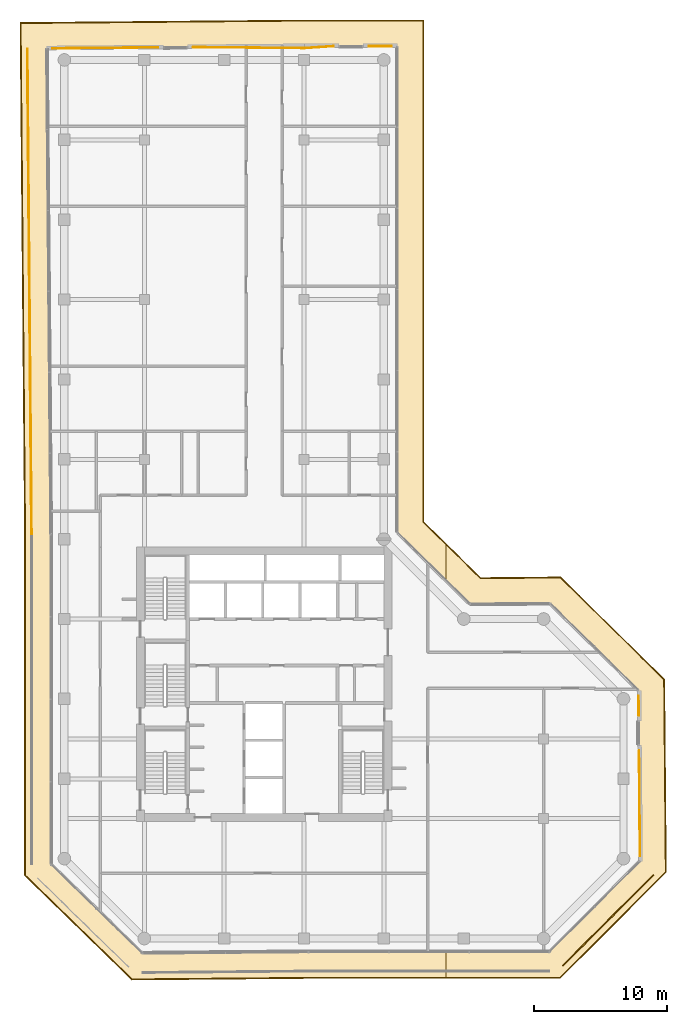
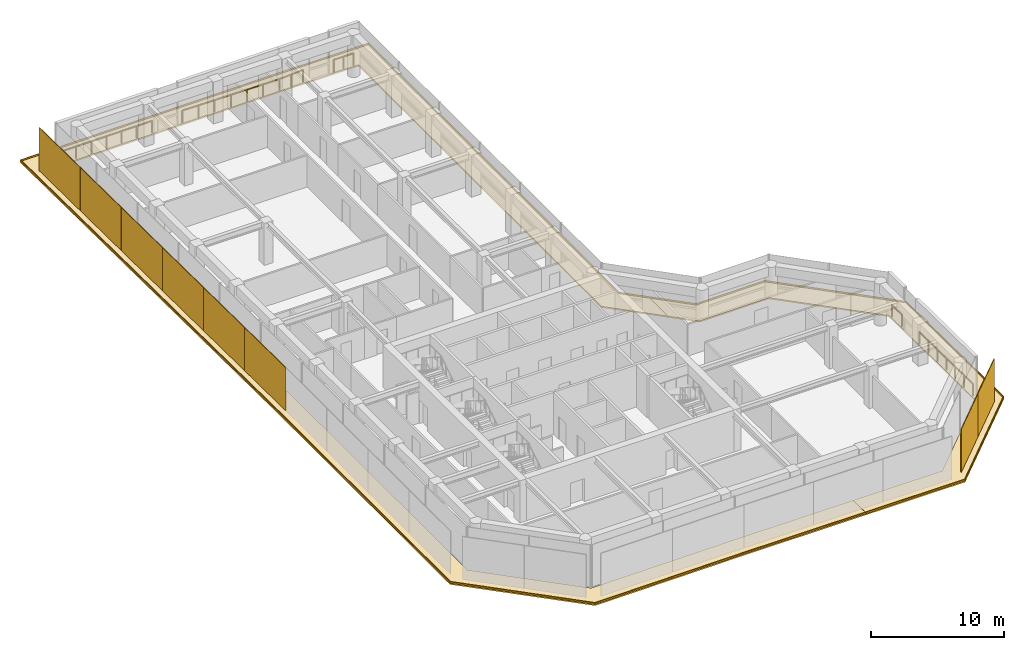
# One storey, part 19 of 19: 12 coverings, 5 railings.
"""IFC4 building model written with IfcOpenShell, lengths in metres."""

from ifc_helpers import new_model, si_unit, direction, frame, origin, origin_2d, place, context, subcontext, project, spatial, polyline, rectangle, circle, outline, extrude, material, layer, layer_set, type_object, element, save


model = new_model("IFC4")

# Units and contexts
model_context = context("Model", 3, precision=1e-05, world=origin(), true_north=direction((0.0, 1.0)))
body_context = subcontext(model_context, "Body", "Model", "MODEL_VIEW")
ifc_project = project(units=[si_unit("LENGTHUNIT", "METRE"), si_unit("AREAUNIT", "SQUARE_METRE"), si_unit("VOLUMEUNIT", "CUBIC_METRE"), si_unit("PLANEANGLEUNIT", "RADIAN"), si_unit("MASSUNIT", "GRAM", prefix="KILO")], contexts=[model_context])

# Site, building, storey
site_placement = place(None, origin())
site = spatial("IfcSite", under=ifc_project, at=site_placement, CompositionType="ELEMENT")
building_placement = place(site_placement, origin())
building = spatial("IfcBuilding", under=site, at=building_placement, Name="Welwitschia Terrace Campus", CompositionType="ELEMENT")
storey_placement = place(building_placement, frame((0.0, 0.0, 171.800048828125)))
storey = spatial("IfcBuildingStorey", under=building, at=storey_placement, Name="L38", CompositionType="ELEMENT", Elevation=171.800048828125)

# Coverings
ifc_material_1 = material(Name="Bronze mesh aluminium screen", Category="aluminium")
ifc_layer_1 = layer(ifc_material_1, 0.06005859375)
ifc_layer_set_1 = layer_set([ifc_layer_1], Name="Bronze mesh aluminium screen")
covering_type_1 = type_object("IfcCoveringType", Name="Bronze screen 60", PredefinedType="USERDEFINED", material=ifc_layer_set_1)
for number, where, z_axis, x_axis, name in (
    (1, (-2.751953125, 59.806884765625, 0.0), (0.0, 0.0, 1.0), (0.008726535498, -0.999961923064, 0.0), "Screen L38.0.0"),
    (2, (-2.69873046875, 53.724365234375, 0.0), (0.0, 0.0, 1.0), (0.008726535498, -0.999961923064, 0.0), "Screen L38.0.1"),
    (3, (-2.645751953125, 47.641845703125, 0.0), (0.0, 0.0, 1.0), (0.008726535498, -0.999961923064, 0.0), "Screen L38.0.2"),
    (4, (-2.5927734375, 41.55908203125, 0.0), (0.0, 0.0, 1.0), (0.008726535498, -0.999961923064, 0.0), "Screen L38.0.3"),
    (5, (-2.53955078125, 35.4765625, 0.0), (0.0, 0.0, 1.0), (0.008726535498, -0.999961923064, 0.0), "Screen L38.0.4"),
    (6, (-2.486572265625, 29.39404296875, 0.0), (0.0, 0.0, 1.0), (0.008726535498, -0.999961923064, 0.0), "Screen L38.0.5"),
):
    element("IfcCovering", number, at=place(storey_placement, frame(where, z_axis=z_axis, x_axis=x_axis)), inside=storey, type_object=covering_type_1, Name=name, ObjectType="SCREEN", PredefinedType="USERDEFINED", context=body_context, shape_type="SweptSolid", body=[
        extrude(rectangle(XDim=6.062744140625, YDim=0.06005859375, at=origin_2d()), origin(), (0.0, 0.0, 1.0), 3.949951171875),
    ])
for number, where, z_axis, x_axis, name in (
    (7, (39.142822265625, -4.3359375, 0.0), (0.0, 0.0, 1.0), (0.707043677573, 0.707169879169, 0.0), "Screen L38.5.0"),
    (8, (42.552490234375, -0.925537109375, 0.0), (0.0, 0.0, 1.0), (0.707043677573, 0.707169879169, 0.0), "Screen L38.5.1"),
):
    element("IfcCovering", number, at=place(storey_placement, frame(where, z_axis=z_axis, x_axis=x_axis)), inside=storey, type_object=covering_type_1, Name=name, ObjectType="SCREEN", PredefinedType="USERDEFINED", context=body_context, shape_type="SweptSolid", body=[
        extrude(rectangle(XDim=4.802490234375, YDim=0.06005859375, at=origin_2d()), origin(), (0.0, 0.0, 1.0), 3.949951171875),
    ])

# Railings
ifc_material_2 = material(Name="Stainless steel grade 316", Category="steel")
railing_type = type_object("IfcRailingType", Name="Guard 1100", PredefinedType="GUARDRAIL", material=ifc_material_2)
railing_1_placement = place(storey_placement, frame((-0.8984375, 62.864501953125, 0.0)))
element("IfcRailing", 9, at=railing_1_placement, inside=storey, type_object=railing_type, Name="Guard floor edge L38.0", PredefinedType="GUARDRAIL", context=body_context, shape_type="SweptSolid", body=[
    extrude(circle(Radius=0.02392578125, at=origin_2d()), frame((0.0, 0.0, 1.076171875), z_axis=(0.999961755966, 0.008745662069, 0.0), x_axis=(-0.008745662069, 0.999961755966, 0.0)), (0.0, 0.0, 1.0), 7.927978515625),
    extrude(circle(Radius=0.02099609375, at=origin_2d()), origin(), (0.0, 0.0, 1.0), 1.052001953125),
    extrude(circle(Radius=0.02099609375, at=origin_2d()), frame((1.3212890625, 0.011474609375, 0.0)), (0.0, 0.0, 1.0), 1.052001953125),
    extrude(circle(Radius=0.02099609375, at=origin_2d()), frame((2.642578125, 0.023193359375, 0.0)), (0.0, 0.0, 1.0), 1.052001953125),
    extrude(circle(Radius=0.02099609375, at=origin_2d()), frame((3.9638671875, 0.03466796875, 0.0)), (0.0, 0.0, 1.0), 1.052001953125),
    extrude(circle(Radius=0.02099609375, at=origin_2d()), frame((5.28515625, 0.046142578125, 0.0)), (0.0, 0.0, 1.0), 1.052001953125),
    extrude(circle(Radius=0.02099609375, at=origin_2d()), frame((6.6064453125, 0.057861328125, 0.0)), (0.0, 0.0, 1.0), 1.052001953125),
    extrude(circle(Radius=0.02099609375, at=origin_2d()), frame((7.927734375, 0.0693359375, 0.0)), (0.0, 0.0, 1.0), 1.052001953125),
])
railing_2_placement = place(storey_placement, frame((9.6767578125, 62.956787109375, 0.0)))
element("IfcRailing", 10, at=railing_2_placement, inside=storey, type_object=railing_type, Name="Guard floor edge L38.1", PredefinedType="GUARDRAIL", context=body_context, shape_type="SweptSolid", body=[
    extrude(circle(Radius=0.02392578125, at=origin_2d()), frame((0.0, 0.0, 1.076171875), z_axis=(0.999957876958, -0.009178469935, 0.0), x_axis=(0.009178469935, 0.999957876958, 0.0)), (0.0, 0.0, 1.0), 8.378662109375),
    extrude(circle(Radius=0.02392578125, at=origin_2d()), frame((8.37841796875, -0.076904296875, 1.076171875), z_axis=(0.997600121861, 0.069238694836, 0.0), x_axis=(-0.069238694836, 0.997600121861, 0.0)), (0.0, 0.0, 1.0), 2.16845703125),
    extrude(circle(Radius=0.02099609375, at=origin_2d()), origin(), (0.0, 0.0, 1.0), 1.052001953125),
    extrude(circle(Radius=0.02099609375, at=origin_2d()), frame((1.396484375, -0.0126953125, 0.0)), (0.0, 0.0, 1.0), 1.052001953125),
    extrude(circle(Radius=0.02099609375, at=origin_2d()), frame((2.792724609375, -0.025634765625, 0.0)), (0.0, 0.0, 1.0), 1.052001953125),
    extrude(circle(Radius=0.02099609375, at=origin_2d()), frame((4.189208984375, -0.03857421875, 0.0)), (0.0, 0.0, 1.0), 1.052001953125),
    extrude(circle(Radius=0.02099609375, at=origin_2d()), frame((5.585693359375, -0.05126953125, 0.0)), (0.0, 0.0, 1.0), 1.052001953125),
    extrude(circle(Radius=0.02099609375, at=origin_2d()), frame((6.98193359375, -0.06396484375, 0.0)), (0.0, 0.0, 1.0), 1.052001953125),
    extrude(circle(Radius=0.02099609375, at=origin_2d()), frame((8.37841796875, -0.076904296875, 0.0)), (0.0, 0.0, 1.0), 1.052001953125),
    extrude(circle(Radius=0.02099609375, at=origin_2d()), frame((9.4599609375, -0.001953125, 0.0)), (0.0, 0.0, 1.0), 1.052001953125),
    extrude(circle(Radius=0.02099609375, at=origin_2d()), frame((10.541748046875, 0.0732421875, 0.0)), (0.0, 0.0, 1.0), 1.052001953125),
])
railing_3_placement = place(storey_placement, frame((22.865966796875, 63.030029296875, 0.0)))
element("IfcRailing", 11, at=railing_3_placement, inside=storey, type_object=railing_type, Name="Guard floor edge L38.2", PredefinedType="GUARDRAIL", context=body_context, shape_type="SweptSolid", body=[
    extrude(circle(Radius=0.02392578125, at=origin_2d()), frame((0.0, 0.0, 1.076171875), z_axis=(1.0, 0.0, 0.0), x_axis=(0.0, 1.0, 0.0)), (0.0, 0.0, 1.0), 1.714111328125),
    extrude(circle(Radius=0.02099609375, at=origin_2d()), origin(), (0.0, 0.0, 1.0), 1.052001953125),
    extrude(circle(Radius=0.02099609375, at=origin_2d()), frame((0.85693359375, 0.0, 0.0)), (0.0, 0.0, 1.0), 1.052001953125),
    extrude(circle(Radius=0.02099609375, at=origin_2d()), frame((1.714111328125, 0.0, 0.0)), (0.0, 0.0, 1.0), 1.052001953125),
])
railing_4_placement = place(storey_placement, frame((43.1376953125, 14.219970703125, 0.0)))
element("IfcRailing", 12, at=railing_4_placement, inside=storey, type_object=railing_type, Name="Guard floor edge L38.3", PredefinedType="GUARDRAIL", context=body_context, shape_type="SweptSolid", body=[
    extrude(circle(Radius=0.02392578125, at=origin_2d()), frame((0.0, 0.0, 1.076171875), z_axis=(0.008660567925, -0.999962496578, 0.0), x_axis=(0.999962496578, 0.008660567925, 0.0)), (0.0, 0.0, 1.0), 1.4658203125),
    extrude(circle(Radius=0.02099609375, at=origin_2d()), origin(), (0.0, 0.0, 1.0), 1.052001953125),
    extrude(circle(Radius=0.02099609375, at=origin_2d()), frame((0.0126953125, -1.4658203125, 0.0)), (0.0, 0.0, 1.0), 1.052001953125),
])
railing_5_placement = place(storey_placement, frame((43.173583984375, 10.106689453125, 0.0)))
element("IfcRailing", 13, at=railing_5_placement, inside=storey, type_object=railing_type, Name="Guard floor edge L38.4", PredefinedType="GUARDRAIL", context=body_context, shape_type="SweptSolid", body=[
    extrude(circle(Radius=0.02392578125, at=origin_2d()), frame((0.0, 0.0, 1.076171875), z_axis=(0.008723026292, -0.999961953682, 0.0), x_axis=(0.999961953682, 0.008723026292, 0.0)), (0.0, 0.0, 1.0), 7.892578125),
    extrude(circle(Radius=0.02099609375, at=origin_2d()), origin(), (0.0, 0.0, 1.0), 1.052001953125),
    extrude(circle(Radius=0.02099609375, at=origin_2d()), frame((0.011474609375, -1.3154296875, 0.0)), (0.0, 0.0, 1.0), 1.052001953125),
    extrude(circle(Radius=0.02099609375, at=origin_2d()), frame((0.02294921875, -2.630859375, 0.0)), (0.0, 0.0, 1.0), 1.052001953125),
    extrude(circle(Radius=0.02099609375, at=origin_2d()), frame((0.034423828125, -3.9462890625, 0.0)), (0.0, 0.0, 1.0), 1.052001953125),
    extrude(circle(Radius=0.02099609375, at=origin_2d()), frame((0.0458984375, -5.261474609375, 0.0)), (0.0, 0.0, 1.0), 1.052001953125),
    extrude(circle(Radius=0.02099609375, at=origin_2d()), frame((0.057373046875, -6.576904296875, 0.0)), (0.0, 0.0, 1.0), 1.052001953125),
    extrude(circle(Radius=0.02099609375, at=origin_2d()), frame((0.06884765625, -7.892333984375, 0.0)), (0.0, 0.0, 1.0), 1.052001953125),
])

# Coverings
ifc_material_3 = material(Name="Bronze anodised aluminium", Category="aluminium")
ifc_layer_2 = layer(ifc_material_3, 0.1201171875)
ifc_layer_set_2 = layer_set([ifc_layer_2], Name="Bronze anodised aluminium")
covering_type_2 = type_object("IfcCoveringType", Name="Sunshade band 2000", PredefinedType="USERDEFINED", material=ifc_layer_set_2)
covering_1_placement = place(storey_placement, frame((0.0, 0.0, -0.25)))
element("IfcCovering", 14, at=covering_1_placement, inside=storey, type_object=covering_type_2, Name="SUNSHADE L38.SW0", ObjectType="SUNSHADE", PredefinedType="USERDEFINED", context=body_context, shape_type="SweptSolid", body=[
    extrude(outline(polyline([(27.0, 65.0), (27.0, 27.31201171875), (28.681884765625, 25.659423828125), (28.681884765625, 22.85546875), (25.0, 26.473388671875), (25.0, 63.0), (18.0546875, 63.0), (-1.318115234375, 62.830810546875), (-1.0, 26.365478515625), (-1.0, 1.585693359375), (5.860595703125, -5.10888671875), (18.351318359375, -5.0), (28.681884765625, -5.0), (28.681884765625, -7.0), (18.360107421875, -7.0), (5.053955078125, -7.1162109375), (-3.0, 0.742919921875), (-3.0, 26.356689453125), (-3.335693359375, 64.8134765625), (18.0458984375, 65.0), (27.0, 65.0)])), origin(), (0.0, 0.0, 1.0), 0.119873046875),
])
covering_2_placement = place(storey_placement, frame((0.0, 0.0, -0.25)))
element("IfcCovering", 15, at=covering_2_placement, inside=storey, type_object=covering_type_2, Name="SUNSHADE L38.SE0", ObjectType="SUNSHADE", PredefinedType="USERDEFINED", context=body_context, shape_type="SweptSolid", body=[
    extrude(outline(polyline([(31.272216796875, 23.11376953125), (37.27197265625, 23.166259765625), (45.0966796875, 15.476806640625), (45.223388671875, 0.98193359375), (37.24267578125, -7.0), (28.681884765625, -7.0), (28.681884765625, -5.0), (36.414306640625, -5.0), (43.216064453125, 1.802978515625), (43.10400390625, 14.631103515625), (36.461181640625, 21.158935546875), (30.461181640625, 21.106689453125), (28.681884765625, 22.85546875), (28.681884765625, 25.659423828125), (31.272216796875, 23.11376953125)])), origin(), (0.0, 0.0, 1.0), 0.119873046875),
])
ifc_material_4 = material(Name="Bronze anodised aluminium", Category="aluminium")
ifc_layer_3 = layer(ifc_material_4, 0.06005859375)
ifc_layer_set_3 = layer_set([ifc_layer_3], Name="Bronze anodised aluminium")
covering_type_3 = type_object("IfcCoveringType", Name="Sunshade lip 60", PredefinedType="USERDEFINED", material=ifc_layer_set_3)
covering_3_placement = place(storey_placement, frame((0.0, 0.0, -0.130126953125)))
element("IfcCovering", 16, at=covering_3_placement, inside=storey, type_object=covering_type_3, Name="SUNSHADE LIP L38.SW0.0", ObjectType="SUNSHADE", PredefinedType="USERDEFINED", context=body_context, shape_type="SweptSolid", body=[
    extrude(outline(polyline([(27.0, 27.31201171875), (28.681884765625, 25.659423828125), (28.681884765625, 25.575439453125), (26.93994140625, 27.287109375), (26.93994140625, 64.93994140625), (18.046142578125, 64.93994140625), (-3.275146484375, 64.75390625), (-2.93994140625, 26.35693359375), (-2.93994140625, 0.768310546875), (5.078125, -7.055908203125), (18.35986328125, -6.93994140625), (28.681884765625, -6.93994140625), (28.681884765625, -7.0), (18.360107421875, -7.0), (5.053955078125, -7.1162109375), (-3.0, 0.742919921875), (-3.0, 26.356689453125), (-3.335693359375, 64.8134765625), (18.0458984375, 65.0), (27.0, 65.0), (27.0, 27.31201171875)])), origin(), (0.0, 0.0, 1.0), 0.130126953125),
])
covering_4_placement = place(storey_placement, frame((0.0, 0.0, -0.130126953125)))
element("IfcCovering", 17, at=covering_4_placement, inside=storey, type_object=covering_type_3, Name="SUNSHADE LIP L38.SE0.0", ObjectType="SUNSHADE", PredefinedType="USERDEFINED", context=body_context, shape_type="SweptSolid", body=[
    extrude(outline(polyline([(37.27197265625, 23.166259765625), (45.0966796875, 15.476806640625), (45.223388671875, 0.98193359375), (37.24267578125, -7.0), (28.681884765625, -7.0), (28.681884765625, -6.93994140625), (37.218017578125, -6.93994140625), (45.1630859375, 1.006591796875), (45.037109375, 15.451416015625), (37.247802734375, 23.10595703125), (31.247802734375, 23.0537109375), (28.681884765625, 25.575439453125), (28.681884765625, 25.659423828125), (31.272216796875, 23.11376953125), (37.27197265625, 23.166259765625)])), origin(), (0.0, 0.0, 1.0), 0.130126953125),
])

save(model, "model.ifc")
